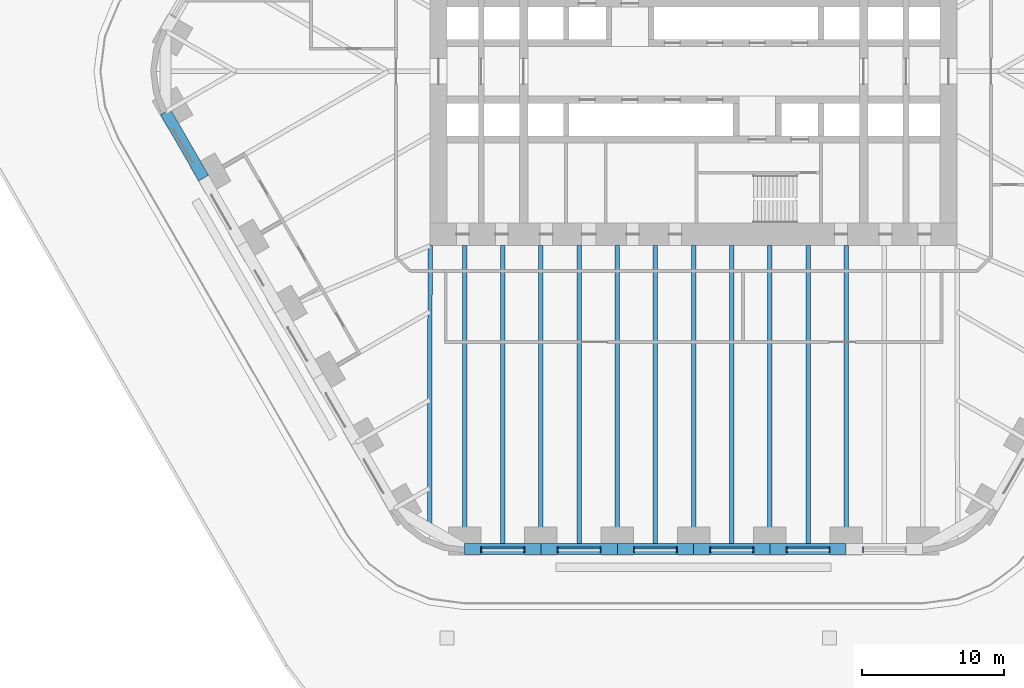
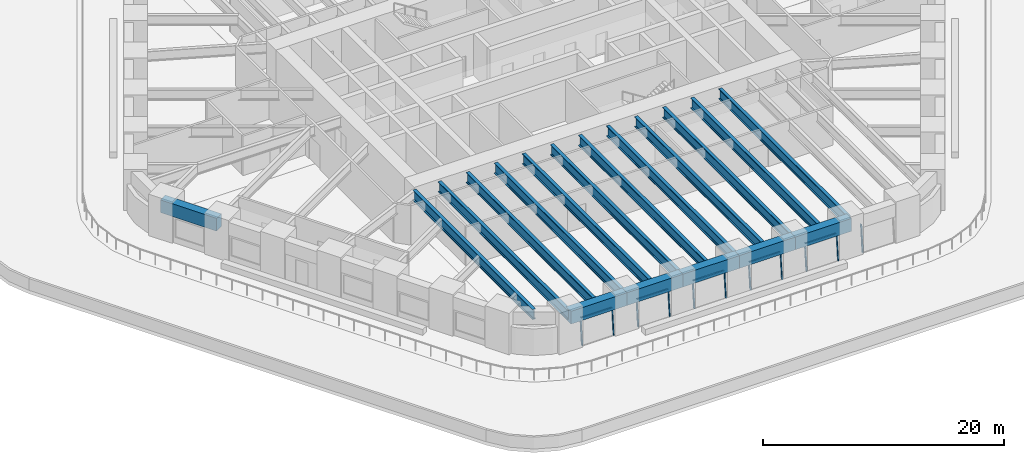
# One storey, part 2 of 17: 18 beams, 16 members, 6 elements without a shape of their own.
"""IFC4 building model written with IfcOpenShell, lengths in metres."""

from ifc_helpers import new_model, si_unit, direction, frame, origin, origin_2d, place, context, subcontext, project, spatial, rectangle, i_section, extrude, material, material_profile, profile_set, type_object, element, aggregate, save


model = new_model("IFC4")

# Units and contexts
model_context = context("Model", 3, precision=1e-05, world=origin(), true_north=direction((0.0, 1.0)))
body_context = subcontext(model_context, "Body", "Model", "MODEL_VIEW")
ifc_project = project(units=[si_unit("LENGTHUNIT", "METRE"), si_unit("AREAUNIT", "SQUARE_METRE"), si_unit("VOLUMEUNIT", "CUBIC_METRE"), si_unit("PLANEANGLEUNIT", "RADIAN"), si_unit("MASSUNIT", "GRAM", prefix="KILO")], contexts=[model_context])

# Site, building, storey
site_placement = place(None, origin())
site = spatial("IfcSite", under=ifc_project, at=site_placement, CompositionType="ELEMENT")
building_placement = place(site_placement, origin())
building = spatial("IfcBuilding", under=site, at=building_placement, Name="Tarfa Lantern Tower", CompositionType="ELEMENT")
storey_placement = place(building_placement, frame((0.0, 0.0, 23.5)))
storey = spatial("IfcBuildingStorey", under=building, at=storey_placement, Name="L04", CompositionType="ELEMENT", Elevation=23.5)

# Curtain wall, members
ifc_material_1 = material(Name="Aluminium framed curtain wall", Category="aluminium")
curtain_wall_type = type_object("IfcCurtainWallType", Name="CW1 CANTED GLAZING LOW ZONE 2700", PredefinedType="USERDEFINED", material=ifc_material_1)
curtain_wall_1_placement = place(storey_placement, origin())
curtain_wall_1 = element("IfcCurtainWall", 1, at=curtain_wall_1_placement, inside=storey, type_object=curtain_wall_type, Name="CW1 S L04", ObjectType="CURTAIN WALL", PredefinedType="USERDEFINED")
ifc_material_2 = material(Name="Aluminium mullion", Category="aluminium")
ifc_material_profile_1 = material_profile(ifc_material_2, rectangle(XDim=0.06494140625, YDim=0.199951171875, at=origin_2d()), Name="AL MULLION 65x200")
ifc_profile_set_1 = profile_set([ifc_material_profile_1], Name="Aluminium mullion")
member_type_1 = type_object("IfcMemberType", Name="CWM1 MULLION 65x200", PredefinedType="MULLION", material=ifc_profile_set_1)
member_1_placement = place(storey_placement, frame((-14.9833984375, -33.89990234375, 0.0), z_axis=(0.0, 0.092199863775, 0.995740520979), x_axis=(-1.0, 0.0, 0.0)))
member_1 = element("IfcMember", 2, at=member_1_placement, type_object=member_type_1, Name="CW1 mullion 1", PredefinedType="MULLION", context=body_context, shape_type="SweptSolid", body=[
    extrude(rectangle(XDim=0.06494140625, YDim=0.199951171875, at=origin_2d()), origin(), (0.0, 0.0, 1.0), 2.71142578125),
])
member_2_placement = place(storey_placement, frame((-11.959716796875, -33.89990234375, 0.0), z_axis=(0.0, 0.092199863775, 0.995740520979), x_axis=(-1.0, 0.0, 0.0)))
member_2 = element("IfcMember", 3, at=member_2_placement, type_object=member_type_1, Name="CW1 mullion 2", PredefinedType="MULLION", context=body_context, shape_type="SweptSolid", body=[
    extrude(rectangle(XDim=0.06494140625, YDim=0.199951171875, at=origin_2d()), origin(), (0.0, 0.0, 1.0), 2.71142578125),
])

curtain_wall_2_placement = place(storey_placement, origin())
curtain_wall_2 = element("IfcCurtainWall", 4, at=curtain_wall_2_placement, inside=storey, type_object=curtain_wall_type, Name="CW1 S L04", ObjectType="CURTAIN WALL", PredefinedType="USERDEFINED")
member_3_placement = place(storey_placement, frame((-9.5947265625, -33.89990234375, 0.0), z_axis=(0.0, 0.092199863775, 0.995740520979), x_axis=(-1.0, 0.0, 0.0)))
member_3 = element("IfcMember", 5, at=member_3_placement, type_object=member_type_1, Name="CW1 mullion 1", PredefinedType="MULLION", context=body_context, shape_type="SweptSolid", body=[
    extrude(rectangle(XDim=0.06494140625, YDim=0.199951171875, at=origin_2d()), origin(), (0.0, 0.0, 1.0), 2.71142578125),
])
member_4_placement = place(storey_placement, frame((-6.571044921875, -33.89990234375, 0.0), z_axis=(0.0, 0.092199863775, 0.995740520979), x_axis=(-1.0, 0.0, 0.0)))
member_4 = element("IfcMember", 6, at=member_4_placement, type_object=member_type_1, Name="CW1 mullion 2", PredefinedType="MULLION", context=body_context, shape_type="SweptSolid", body=[
    extrude(rectangle(XDim=0.06494140625, YDim=0.199951171875, at=origin_2d()), origin(), (0.0, 0.0, 1.0), 2.71142578125),
])

curtain_wall_3_placement = place(storey_placement, origin())
curtain_wall_3 = element("IfcCurtainWall", 7, at=curtain_wall_3_placement, inside=storey, type_object=curtain_wall_type, Name="CW1 S L04", ObjectType="CURTAIN WALL", PredefinedType="USERDEFINED")
member_5_placement = place(storey_placement, frame((-4.2060546875, -33.89990234375, 0.0), z_axis=(0.0, 0.092199863775, 0.995740520979), x_axis=(-1.0, 0.0, 0.0)))
member_5 = element("IfcMember", 8, at=member_5_placement, type_object=member_type_1, Name="CW1 mullion 1", PredefinedType="MULLION", context=body_context, shape_type="SweptSolid", body=[
    extrude(rectangle(XDim=0.06494140625, YDim=0.199951171875, at=origin_2d()), origin(), (0.0, 0.0, 1.0), 2.71142578125),
])
member_6_placement = place(storey_placement, frame((-1.1826171875, -33.89990234375, 0.0), z_axis=(0.0, 0.092199863775, 0.995740520979), x_axis=(-1.0, 0.0, 0.0)))
member_6 = element("IfcMember", 9, at=member_6_placement, type_object=member_type_1, Name="CW1 mullion 2", PredefinedType="MULLION", context=body_context, shape_type="SweptSolid", body=[
    extrude(rectangle(XDim=0.06494140625, YDim=0.199951171875, at=origin_2d()), origin(), (0.0, 0.0, 1.0), 2.71142578125),
])

curtain_wall_4_placement = place(storey_placement, origin())
curtain_wall_4 = element("IfcCurtainWall", 10, at=curtain_wall_4_placement, inside=storey, type_object=curtain_wall_type, Name="CW1 S L04", ObjectType="CURTAIN WALL", PredefinedType="USERDEFINED")
member_7_placement = place(storey_placement, frame((1.1826171875, -33.89990234375, 0.0), z_axis=(0.0, 0.092199863775, 0.995740520979), x_axis=(-1.0, 0.0, 0.0)))
member_7 = element("IfcMember", 11, at=member_7_placement, type_object=member_type_1, Name="CW1 mullion 1", PredefinedType="MULLION", context=body_context, shape_type="SweptSolid", body=[
    extrude(rectangle(XDim=0.06494140625, YDim=0.199951171875, at=origin_2d()), origin(), (0.0, 0.0, 1.0), 2.71142578125),
])
member_8_placement = place(storey_placement, frame((4.2060546875, -33.89990234375, 0.0), z_axis=(0.0, 0.092199863775, 0.995740520979), x_axis=(-1.0, 0.0, 0.0)))
member_8 = element("IfcMember", 12, at=member_8_placement, type_object=member_type_1, Name="CW1 mullion 2", PredefinedType="MULLION", context=body_context, shape_type="SweptSolid", body=[
    extrude(rectangle(XDim=0.06494140625, YDim=0.199951171875, at=origin_2d()), origin(), (0.0, 0.0, 1.0), 2.71142578125),
])

curtain_wall_5_placement = place(storey_placement, origin())
curtain_wall_5 = element("IfcCurtainWall", 13, at=curtain_wall_5_placement, inside=storey, type_object=curtain_wall_type, Name="CW1 S L04", ObjectType="CURTAIN WALL", PredefinedType="USERDEFINED")
member_9_placement = place(storey_placement, frame((6.571044921875, -33.89990234375, 0.0), z_axis=(0.0, 0.092199863775, 0.995740520979), x_axis=(-1.0, 0.0, 0.0)))
member_9 = element("IfcMember", 14, at=member_9_placement, type_object=member_type_1, Name="CW1 mullion 1", PredefinedType="MULLION", context=body_context, shape_type="SweptSolid", body=[
    extrude(rectangle(XDim=0.06494140625, YDim=0.199951171875, at=origin_2d()), origin(), (0.0, 0.0, 1.0), 2.71142578125),
])
member_10_placement = place(storey_placement, frame((9.5947265625, -33.89990234375, 0.0), z_axis=(0.0, 0.092199863775, 0.995740520979), x_axis=(-1.0, 0.0, 0.0)))
member_10 = element("IfcMember", 15, at=member_10_placement, type_object=member_type_1, Name="CW1 mullion 2", PredefinedType="MULLION", context=body_context, shape_type="SweptSolid", body=[
    extrude(rectangle(XDim=0.06494140625, YDim=0.199951171875, at=origin_2d()), origin(), (0.0, 0.0, 1.0), 2.71142578125),
])

# Curtain wall, member
curtain_wall_6_placement = place(storey_placement, origin())
curtain_wall_6 = element("IfcCurtainWall", 16, at=curtain_wall_6_placement, inside=storey, type_object=curtain_wall_type, Name="CW1 S L04", ObjectType="CURTAIN WALL", PredefinedType="USERDEFINED")
member_11_placement = place(storey_placement, frame((11.959716796875, -33.89990234375, 0.0), z_axis=(0.0, 0.092199863775, 0.995740520979), x_axis=(-1.0, 0.0, 0.0)))
member_11 = element("IfcMember", 17, at=member_11_placement, type_object=member_type_1, Name="CW1 mullion 1", PredefinedType="MULLION", context=body_context, shape_type="SweptSolid", body=[
    extrude(rectangle(XDim=0.06494140625, YDim=0.199951171875, at=origin_2d()), origin(), (0.0, 0.0, 1.0), 2.71142578125),
])
aggregate(curtain_wall_6, [member_11])

# Member
ifc_material_3 = material(Name="Aluminium transom", Category="aluminium")
ifc_material_profile_2 = material_profile(ifc_material_3, rectangle(XDim=0.14990234375, YDim=0.06494140625, at=origin_2d()), Name="AL TRANSOM 150x65")
ifc_profile_set_2 = profile_set([ifc_material_profile_2], Name="Aluminium transom")
member_type_2 = type_object("IfcMemberType", Name="CWT1 TRANSOM 150x65", PredefinedType="USERDEFINED", material=ifc_profile_set_2)
member_12_placement = place(storey_placement, frame((-14.950927734375, -33.653076171875, 2.66748046875), z_axis=(1.0, 0.0, 0.0), x_axis=(0.0, 1.0, 0.0)))
member_12 = element("IfcMember", 18, at=member_12_placement, type_object=member_type_2, Name="CW1 transom 1.2", ObjectType="TRANSOM", PredefinedType="USERDEFINED", context=body_context, shape_type="SweptSolid", body=[
    extrude(rectangle(XDim=0.14990234375, YDim=0.06494140625, at=origin_2d()), origin(), (0.0, 0.0, 1.0), 2.958740234375),
])

aggregate(curtain_wall_1, [member_1, member_2, member_12])

member_13_placement = place(storey_placement, frame((-9.562255859375, -33.653076171875, 2.66748046875), z_axis=(1.0, 0.0, 0.0), x_axis=(0.0, 1.0, 0.0)))
member_13 = element("IfcMember", 19, at=member_13_placement, type_object=member_type_2, Name="CW1 transom 1.2", ObjectType="TRANSOM", PredefinedType="USERDEFINED", context=body_context, shape_type="SweptSolid", body=[
    extrude(rectangle(XDim=0.14990234375, YDim=0.06494140625, at=origin_2d()), origin(), (0.0, 0.0, 1.0), 2.958740234375),
])

aggregate(curtain_wall_2, [member_3, member_4, member_13])

member_14_placement = place(storey_placement, frame((-4.173583984375, -33.653076171875, 2.66748046875), z_axis=(1.0, 0.0, 0.0), x_axis=(0.0, 1.0, 0.0)))
member_14 = element("IfcMember", 20, at=member_14_placement, type_object=member_type_2, Name="CW1 transom 1.2", ObjectType="TRANSOM", PredefinedType="USERDEFINED", context=body_context, shape_type="SweptSolid", body=[
    extrude(rectangle(XDim=0.14990234375, YDim=0.06494140625, at=origin_2d()), origin(), (0.0, 0.0, 1.0), 2.95849609375),
])

aggregate(curtain_wall_3, [member_5, member_6, member_14])

member_15_placement = place(storey_placement, frame((1.215087890625, -33.653076171875, 2.66748046875), z_axis=(1.0, 0.0, 0.0), x_axis=(0.0, 1.0, 0.0)))
member_15 = element("IfcMember", 21, at=member_15_placement, type_object=member_type_2, Name="CW1 transom 1.2", ObjectType="TRANSOM", PredefinedType="USERDEFINED", context=body_context, shape_type="SweptSolid", body=[
    extrude(rectangle(XDim=0.14990234375, YDim=0.06494140625, at=origin_2d()), origin(), (0.0, 0.0, 1.0), 2.95849609375),
])

aggregate(curtain_wall_4, [member_7, member_8, member_15])

member_16_placement = place(storey_placement, frame((6.603515625, -33.653076171875, 2.66748046875), z_axis=(1.0, 0.0, 0.0), x_axis=(0.0, 1.0, 0.0)))
member_16 = element("IfcMember", 22, at=member_16_placement, type_object=member_type_2, Name="CW1 transom 1.2", ObjectType="TRANSOM", PredefinedType="USERDEFINED", context=body_context, shape_type="SweptSolid", body=[
    extrude(rectangle(XDim=0.14990234375, YDim=0.06494140625, at=origin_2d()), origin(), (0.0, 0.0, 1.0), 2.958740234375),
])

aggregate(curtain_wall_5, [member_9, member_10, member_16])

# Beams
ifc_material_4 = material(Name="Concrete C80/95", Category="concrete")
ifc_material_profile_3 = material_profile(ifc_material_4, rectangle(XDim=0.800048828125, YDim=1.300048828125, at=origin_2d()), Name="RC 800x1300")
ifc_profile_set_3 = profile_set([ifc_material_profile_3], Name="Concrete C80/95")
beam_type_1 = type_object("IfcBeamType", Name="EB1 RC 800x1300", PredefinedType="SPANDREL", material=ifc_profile_set_3)
beam_1_placement = place(storey_placement, frame((-37.285400390625, -2.860107421875, 3.35009765625), z_axis=(0.500017906299, -0.866015065331, 0.0), x_axis=(0.866015065331, 0.500017906299, 0.0)))
element("IfcBeam", 23, at=beam_1_placement, inside=storey, type_object=beam_type_1, Name="Edge beam SW0", PredefinedType="SPANDREL", context=body_context, shape_type="SweptSolid", body=[
    extrude(rectangle(XDim=0.800048828125, YDim=1.300048828125, at=origin_2d()), origin(), (0.0, 0.0, 1.0), 5.388427734375),
])
beam_2_placement = place(storey_placement, frame((-16.165771484375, -33.719970703125, 3.35009765625), z_axis=(1.0, 0.0, 0.0), x_axis=(0.0, 1.0, 0.0)))
element("IfcBeam", 24, at=beam_2_placement, inside=storey, type_object=beam_type_1, Name="Edge beam S0", PredefinedType="SPANDREL", context=body_context, shape_type="SweptSolid", body=[
    extrude(rectangle(XDim=0.800048828125, YDim=1.300048828125, at=origin_2d()), origin(), (0.0, 0.0, 1.0), 5.388671875),
])
beam_3_placement = place(storey_placement, frame((-10.777099609375, -33.719970703125, 3.35009765625), z_axis=(1.0, 0.0, 0.0), x_axis=(0.0, 1.0, 0.0)))
element("IfcBeam", 25, at=beam_3_placement, inside=storey, type_object=beam_type_1, Name="Edge beam S1", PredefinedType="SPANDREL", context=body_context, shape_type="SweptSolid", body=[
    extrude(rectangle(XDim=0.800048828125, YDim=1.300048828125, at=origin_2d()), origin(), (0.0, 0.0, 1.0), 5.388427734375),
])
for number, where, z_axis, x_axis, name in (
    (26, (-5.388671875, -33.719970703125, 3.35009765625), (1.0, 0.0, 0.0), (0.0, 1.0, 0.0), "Edge beam S2"),
    (27, (0.0, -33.719970703125, 3.35009765625), (1.0, 0.0, 0.0), (0.0, 1.0, 0.0), "Edge beam S3"),
):
    element("IfcBeam", number, at=place(storey_placement, frame(where, z_axis=z_axis, x_axis=x_axis)), inside=storey, type_object=beam_type_1, Name=name, PredefinedType="SPANDREL", context=body_context, shape_type="SweptSolid", body=[
        extrude(rectangle(XDim=0.800048828125, YDim=1.300048828125, at=origin_2d()), origin(), (0.0, 0.0, 1.0), 5.388671875),
    ])
beam_4_placement = place(storey_placement, frame((5.388671875, -33.719970703125, 3.35009765625), z_axis=(1.0, 0.0, 0.0), x_axis=(0.0, 1.0, 0.0)))
element("IfcBeam", 28, at=beam_4_placement, inside=storey, type_object=beam_type_1, Name="Edge beam S4", PredefinedType="SPANDREL", context=body_context, shape_type="SweptSolid", body=[
    extrude(rectangle(XDim=0.800048828125, YDim=1.300048828125, at=origin_2d()), origin(), (0.0, 0.0, 1.0), 5.388427734375),
])
ifc_material_5 = material(Name="Steel S460M", Category="steel")
ifc_material_profile_4 = material_profile(ifc_material_5, i_section(OverallWidth=0.314208984375, OverallDepth=1.055908203125, WebThickness=0.035888671875, FlangeThickness=0.06396484375, FilletRadius=0.030029296875, at=origin_2d()), Name="UB1016x305x584")
ifc_profile_set_4 = profile_set([ifc_material_profile_4], Name="Steel S460M")
beam_type_2 = type_object("IfcBeamType", Name="UB1016x305x584", PredefinedType="BEAM", material=ifc_profile_set_4)
beam_5_placement = place(storey_placement, frame((-18.60009765625, -12.300048828125, 3.471923828125), z_axis=(-0.00212508222, -0.99999774201, 0.0), x_axis=(0.99999774201, -0.00212508222, 0.0)))
element("IfcBeam", 29, at=beam_5_placement, inside=storey, type_object=beam_type_2, Name="Hip girder SW", PredefinedType="BEAM", context=body_context, shape_type="SweptSolid", body=[
    extrude(i_section(OverallWidth=0.314208984375, OverallDepth=1.055908203125, WebThickness=0.035888671875, FlangeThickness=0.06396484375, FilletRadius=0.030029296875, at=origin_2d()), origin(), (0.0, 0.0, 1.0), 19.989990234375),
])
for number, where, z_axis, x_axis, name in (
    (30, (-16.165771484375, -33.719970703125, 3.471923828125), (0.0, 1.0, 0.0), (-1.0, 0.0, 0.0), "Floor beam S0"),
    (31, (-10.777099609375, -33.719970703125, 3.471923828125), (0.0, 1.0, 0.0), (-1.0, 0.0, 0.0), "Floor beam S1"),
    (32, (-5.388671875, -33.719970703125, 3.471923828125), (0.0, 1.0, 0.0), (-1.0, 0.0, 0.0), "Floor beam S2"),
    (33, (0.0, -33.719970703125, 3.471923828125), (0.0, 1.0, 0.0), (-1.0, 0.0, 0.0), "Floor beam S3"),
    (34, (5.388671875, -33.719970703125, 3.471923828125), (0.0, 1.0, 0.0), (-1.0, 0.0, 0.0), "Floor beam S4"),
    (35, (10.777099609375, -33.719970703125, 3.471923828125), (0.0, 1.0, 0.0), (-1.0, 0.0, 0.0), "Floor beam S5"),
    (36, (-13.471435546875, -33.719970703125, 3.471923828125), (0.0, 1.0, 0.0), (-1.0, 0.0, 0.0), "Floor beam S0M"),
    (37, (-8.0830078125, -33.719970703125, 3.471923828125), (0.0, 1.0, 0.0), (-1.0, 0.0, 0.0), "Floor beam S1M"),
    (38, (-2.6943359375, -33.719970703125, 3.471923828125), (0.0, 1.0, 0.0), (-1.0, 0.0, 0.0), "Floor beam S2M"),
    (39, (2.6943359375, -33.719970703125, 3.471923828125), (0.0, 1.0, 0.0), (-1.0, 0.0, 0.0), "Floor beam S3M"),
    (40, (8.0830078125, -33.719970703125, 3.471923828125), (0.0, 1.0, 0.0), (-1.0, 0.0, 0.0), "Floor beam S4M"),
):
    element("IfcBeam", number, at=place(storey_placement, frame(where, z_axis=z_axis, x_axis=x_axis)), inside=storey, type_object=beam_type_2, Name=name, PredefinedType="BEAM", context=body_context, shape_type="SweptSolid", body=[
        extrude(i_section(OverallWidth=0.314208984375, OverallDepth=1.055908203125, WebThickness=0.035888671875, FlangeThickness=0.06396484375, FilletRadius=0.030029296875, at=origin_2d()), origin(), (0.0, 0.0, 1.0), 21.419921875),
    ])

save(model, "model.ifc")
